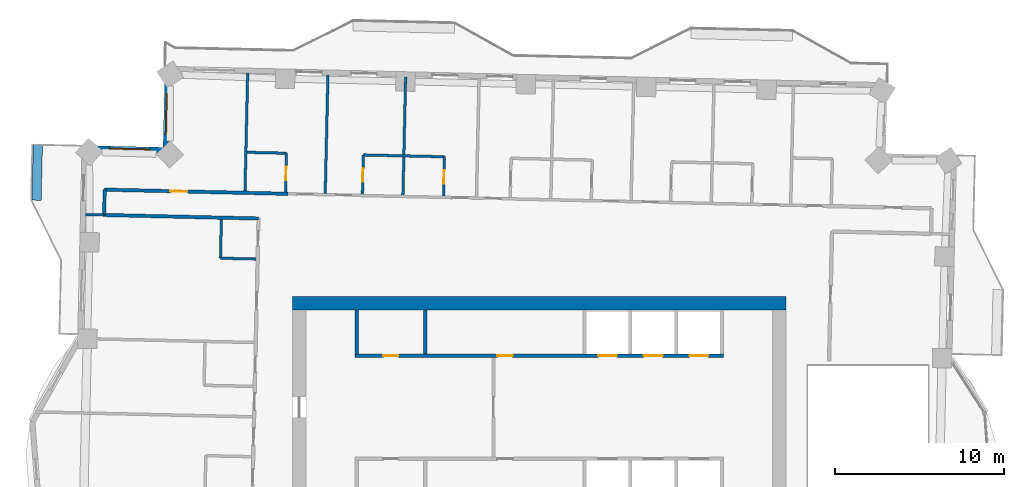
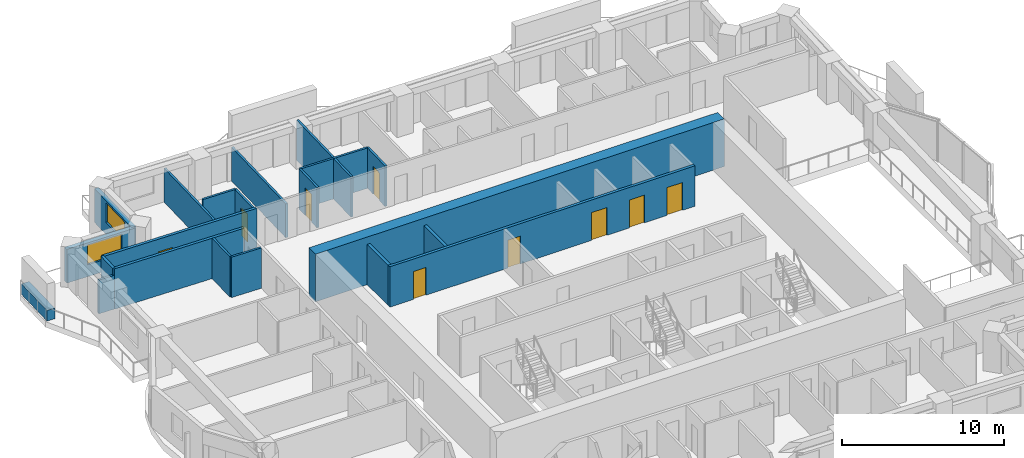
# One storey, part 8 of 14: 21 walls, 9 doors, 2 windows, 11 openings.
"""IFC4 building model written with IfcOpenShell, lengths in metres."""

import ifcopenshell
import ifcopenshell.guid

model = None  # the IFC model being written
_history = None  # IfcOwnerHistory: only IFC2X3 demands one
_inside = {}  # id of a spatial element -> (the spatial element, [elements in it])
_under = {}  # id of a project, library or spatial element -> (it, [spatial elements below it])
_declared = {}  # id of a project -> (the project, [libraries it declares])
_typed = {}  # id of a type object -> (the type object, [elements of that type])
_made_of = {}  # id of a material, layer set ... -> (it, [elements and type objects made of it])


def new_model(schema):
    """Start an empty IFC model of exactly this schema.

    Asked for "IFC4X3", IfcOpenShell would pick the latest addendum, in which some entities
    have other attributes; the version numbers below select the first issue.
    IFC2X3 requires an IfcOwnerHistory on every rooted entity: one is made here for all.
    """
    global model, _history
    if schema == "IFC4X3":
        model = ifcopenshell.file(schema_version=(4, 3, 0, 0))
    else:
        model = ifcopenshell.file(schema=schema)
    _inside.clear()
    _under.clear()
    _declared.clear()
    _typed.clear()
    _made_of.clear()
    _history = None
    if model.schema == "IFC2X3":
        org = make("IfcOrganization", Name="unknown")
        user = make(
            "IfcPersonAndOrganization",
            ThePerson=make("IfcPerson", FamilyName="unknown"),
            TheOrganization=org,
        )
        app = make(
            "IfcApplication",
            ApplicationDeveloper=org,
            Version="unknown",
            ApplicationFullName="unknown",
            ApplicationIdentifier="unknown",
        )
        _history = make(
            "IfcOwnerHistory",
            OwningUser=user,
            OwningApplication=app,
            ChangeAction="ADDED",
            CreationDate=0,
        )
    return model


def make(cls, **values):
    """One entity of the class cls with the attributes given. An attribute that is None is left unset."""
    return model.create_entity(
        cls, **{name: value for name, value in values.items() if value is not None}
    )


def rooted(cls, **values):
    """An entity with a GlobalId (a new one), such as an element, a storey or a relation."""
    return make(cls, GlobalId=ifcopenshell.guid.new(), OwnerHistory=_history, **values)


def si_unit(unit_type, name, prefix=None):
    """IfcSIUnit, for example si_unit("LENGTHUNIT", "METRE", prefix="MILLI")."""
    return make("IfcSIUnit", UnitType=unit_type, Prefix=prefix, Name=name)


def assignment(units):
    """IfcUnitAssignment: the units of a project."""
    return None if units is None else make("IfcUnitAssignment", Units=units)


def point(xyz):
    """IfcCartesianPoint."""
    return None if xyz is None else make("IfcCartesianPoint", Coordinates=xyz)


def direction(xyz):
    """IfcDirection."""
    return None if xyz is None else make("IfcDirection", DirectionRatios=xyz)


def frame(location, z_axis=None, x_axis=None):
    """IfcAxis2Placement3D, a coordinate frame: its origin and axes. An axis left out is left unset."""
    return make(
        "IfcAxis2Placement3D",
        Location=point(location),
        Axis=direction(z_axis),
        RefDirection=direction(x_axis),
    )


def frame_2d(location, x_axis=None):
    """IfcAxis2Placement2D, a coordinate frame in the plane: its origin and x axis."""
    return make(
        "IfcAxis2Placement2D", Location=point(location), RefDirection=direction(x_axis)
    )


def origin():
    """The frame at (0, 0, 0) with its axes left unset."""
    return frame((0.0, 0.0, 0.0))


def place(relative_to, where):
    """IfcLocalPlacement: puts the frame where relative to a parent placement (None: the world)."""
    return make(
        "IfcLocalPlacement", PlacementRelTo=relative_to, RelativePlacement=where
    )


def context(
    kind, dimensions, precision=None, world=None, true_north=None, identifier=None
):
    """IfcGeometricRepresentationContext, for example the 3D "Model" context."""
    return make(
        "IfcGeometricRepresentationContext",
        ContextIdentifier=identifier,
        ContextType=kind,
        CoordinateSpaceDimension=dimensions,
        Precision=precision,
        WorldCoordinateSystem=world,
        TrueNorth=true_north,
    )


def subcontext(parent, identifier, kind, view, scale=None):
    """IfcGeometricRepresentationSubContext, for example "Body" below "Model"."""
    return make(
        "IfcGeometricRepresentationSubContext",
        ContextIdentifier=identifier,
        ContextType=kind,
        ParentContext=parent,
        TargetScale=scale,
        TargetView=view,
    )


def project(units=None, contexts=None):
    """IfcProject with its units and contexts."""
    return rooted(
        "IfcProject",
        Name="project",
        RepresentationContexts=contexts,
        UnitsInContext=assignment(units),
    )


def spatial(cls, under=None, at=None, **own):
    """A site, building, storey or space (cls), placed at a placement, below another one or the project."""
    s = rooted(cls, ObjectPlacement=at, **own)
    if under is not None:
        _under.setdefault(under.id(), (under, []))[1].append(s)
    return s


def profile(cls, at=None, kind="AREA", **sizes):
    """A parametric profile (cls). Its sizes go by their IFC names, for example OverallWidth=200.0."""
    return make(cls, ProfileType=kind, Position=at, **sizes)


def rectangle(**sizes):
    """IfcRectangleProfileDef."""
    return profile("IfcRectangleProfileDef", **sizes)


def extrude(swept, where, along, depth):
    """IfcExtrudedAreaSolid: the profile swept, set in the frame where, extruded along a direction by depth."""
    return make(
        "IfcExtrudedAreaSolid",
        SweptArea=swept,
        Position=where,
        ExtrudedDirection=direction(along),
        Depth=depth,
    )


def shape(context_of_items, identifier, shape_type, items):
    """IfcShapeRepresentation: the items that make up one representation, for example the "Body"."""
    return make(
        "IfcShapeRepresentation",
        ContextOfItems=context_of_items,
        RepresentationIdentifier=identifier,
        RepresentationType=shape_type,
        Items=items,
    )


def material(Name=None, Category=None):
    """IfcMaterial."""
    return make("IfcMaterial", Name=Name, Category=Category)


def layer(
    of_material, thickness, ventilated=None, Name=None, Category=None, Priority=None
):
    """IfcMaterialLayer: one layer of a wall or slab, of a material (None: an air gap)."""
    return make(
        "IfcMaterialLayer",
        Material=of_material,
        LayerThickness=thickness,
        IsVentilated=ventilated,
        Name=Name,
        Category=Category,
        Priority=Priority,
    )


def layer_set(layers, Name=None):
    """IfcMaterialLayerSet."""
    return make("IfcMaterialLayerSet", MaterialLayers=layers, LayerSetName=Name)


def made_of(thing, what):
    """Note that an element or type object is made of a material, layer set ...; save() writes the relation."""
    if what is not None:
        _made_of.setdefault(what.id(), (what, []))[1].append(thing)
    return thing


def type_object(cls, material=None, **own):
    """A type object (cls), such as IfcWallType, which elements share."""
    return made_of(rooted(cls, **own), material)


def element(
    cls,
    number,
    at=None,
    inside=None,
    cuts=None,
    type_object=None,
    material=None,
    context=None,
    identifier="Body",
    shape_type=None,
    held_by="IfcProductDefinitionShape",
    body=None,
    shapes=None,
    **own,
):
    """One element of the class cls, such as IfcWall. Its Tag is "e" and its number.

    at: its placement. inside: the storey or other place that contains it. cuts: it is an
    opening in that element (IfcRelVoidsElement). A single representation is given by context,
    identifier, shape_type and body (its items); several are given by shapes. held_by: the class
    of the entity that holds the representations. save() writes the other relations.
    """
    e = rooted(cls, Tag="e%d" % number, ObjectPlacement=at, **own)
    if body is not None:
        shapes = [shape(context, identifier, shape_type, body)]
    if shapes is not None:
        e.Representation = make(held_by, Representations=shapes)
    if inside is not None:
        _inside.setdefault(inside.id(), (inside, []))[1].append(e)
    if cuts is not None:
        rooted(
            "IfcRelVoidsElement", RelatingBuildingElement=cuts, RelatedOpeningElement=e
        )
    if type_object is not None:
        _typed.setdefault(type_object.id(), (type_object, []))[1].append(e)
    return made_of(e, material)


def fill(opening, filler):
    """IfcRelFillsElement: the door or window that sits in an opening."""
    return rooted(
        "IfcRelFillsElement",
        RelatingOpeningElement=opening,
        RelatedBuildingElement=filler,
    )


def aggregate(whole, parts):
    """IfcRelAggregates: a whole, such as a stair, and the parts it consists of."""
    return rooted("IfcRelAggregates", RelatingObject=whole, RelatedObjects=parts)


def save(model, path):
    """Write the relations noted so far, then the file.

    IfcRelAggregates (storeys below a building ...), IfcRelContainedInSpatialStructure (elements
    in a storey), IfcRelDefinesByType, IfcRelAssociatesMaterial and IfcRelDeclares: one each for
    every whole, place, type object, material and project.
    """
    for whole, parts in _under.values():
        aggregate(whole, parts)
    for where, things in _inside.values():
        rooted(
            "IfcRelContainedInSpatialStructure",
            RelatedElements=things,
            RelatingStructure=where,
        )
    for kind, things in _typed.values():
        rooted("IfcRelDefinesByType", RelatedObjects=things, RelatingType=kind)
    for what, things in _made_of.values():
        rooted("IfcRelAssociatesMaterial", RelatedObjects=things, RelatingMaterial=what)
    for by, libraries in _declared.values():
        rooted("IfcRelDeclares", RelatingContext=by, RelatedDefinitions=libraries)
    model.write(path)


model = new_model("IFC4")

# Units and contexts
model_context = context("Model", 3, precision=1e-05, world=origin(), true_north=direction((0.0, 1.0)))
body_context = subcontext(model_context, "Body", "Model", "MODEL_VIEW")
ifc_project = project(units=[si_unit("LENGTHUNIT", "METRE"), si_unit("AREAUNIT", "SQUARE_METRE"), si_unit("VOLUMEUNIT", "CUBIC_METRE"), si_unit("PLANEANGLEUNIT", "RADIAN"), si_unit("MASSUNIT", "GRAM", prefix="KILO")], contexts=[model_context])

# Site, building, storey
site_placement = place(None, origin())
site = spatial("IfcSite", under=ifc_project, at=site_placement, CompositionType="ELEMENT")
building_placement = place(site_placement, origin())
building = spatial("IfcBuilding", under=site, at=building_placement, Name="Mangrove Gate Tower", CompositionType="ELEMENT")
storey_placement = place(building_placement, frame((0.0, 0.0, 205.10009765625)))
storey = spatial("IfcBuildingStorey", under=building, at=storey_placement, Name="L52", CompositionType="ELEMENT", Elevation=205.10009765625)

# Walls
ifc_material_1 = material(Name="Concrete C32/40", Category="concrete")
ifc_layer_1 = layer(ifc_material_1, 0.199951171875)
ifc_layer_set_1 = layer_set([ifc_layer_1], Name="Core room wall 200 C32/40")
wall_type_1 = type_object("IfcWallType", Name="Core room wall 200 C32/40", PredefinedType="STANDARD", material=ifc_layer_set_1)
for number, where, z_axis, x_axis, name in (
    (1, (-10.800048828125, 8.199951171875, 0.0), (0.0, 0.0, 1.0), (0.0, 1.0, 0.0), "WALL-L52-CORE-25"),
    (2, (-6.75, 8.199951171875, 0.0), (0.0, 0.0, 1.0), (0.0, 1.0, 0.0), "WALL-L52-CORE-26"),
):
    element("IfcWall", number, at=place(storey_placement, frame(where, z_axis=z_axis, x_axis=x_axis)), inside=storey, type_object=wall_type_1, Name=name, PredefinedType="STANDARD", context=body_context, shape_type="SweptSolid", body=[
        extrude(rectangle(XDim=2.60009765625, YDim=0.199951171875, at=frame_2d((1.300048828125, 0.0))), origin(), (0.0, 0.0, 1.0), 3.0498046875),
    ])

# Wall, openings, doors
ifc_material_2 = material(Name="Concrete C60/75", Category="concrete")
ifc_layer_2 = layer(ifc_material_2, 0.199951171875)
ifc_layer_set_2 = layer_set([ifc_layer_2], Name="Core shaft wall 200 C60/75")
wall_type_2 = type_object("IfcWallType", Name="Core shaft wall 200 C60/75", PredefinedType="SHEAR", material=ifc_layer_set_2)
wall_1_placement = place(storey_placement, frame((-10.89990234375, 8.10009765625, 0.0), z_axis=(0.0, 0.0, 1.0), x_axis=(1.0, 0.0, 0.0)))
wall_1 = element("IfcWall", 3, at=wall_1_placement, inside=storey, type_object=wall_type_2, Name="WALL-L52-CORE-8", PredefinedType="SHEAR", context=body_context, shape_type="SweptSolid", body=[
    extrude(rectangle(XDim=21.7998046875, YDim=0.199951171875, at=frame_2d((10.89990234375, 0.0))), origin(), (0.0, 0.0, 1.0), 3.0498046875),
])
opening_1_placement = place(wall_1_placement, frame((14.39990234375, 0.0, 0.0)))
opening_1 = element("IfcOpeningElement", 4, at=opening_1_placement, cuts=wall_1, Name="Opening LD", PredefinedType="OPENING", context=body_context, shape_type="SweptSolid", body=[
    extrude(rectangle(XDim=1.10009765625, YDim=2.10009765625, at=frame_2d((0.550048828125, 1.050048828125))), frame((0.0, 0.10986328125, 0.0), z_axis=(0.0, -1.0, 0.0), x_axis=(1.0, 0.0, 0.0)), (0.0, 0.0, 1.0), 0.219970703125),
])
opening_2_placement = place(wall_1_placement, frame((17.10009765625, 0.0, 0.0)))
opening_2 = element("IfcOpeningElement", 5, at=opening_2_placement, cuts=wall_1, Name="Opening LD", PredefinedType="OPENING", context=body_context, shape_type="SweptSolid", body=[
    extrude(rectangle(XDim=1.10009765625, YDim=2.10009765625, at=frame_2d((0.550048828125, 1.050048828125))), frame((0.0, 0.10986328125, 0.0), z_axis=(0.0, -1.0, 0.0), x_axis=(1.0, 0.0, 0.0)), (0.0, 0.0, 1.0), 0.219970703125),
])
opening_3_placement = place(wall_1_placement, frame((19.800048828125, 0.0, 0.0)))
opening_3 = element("IfcOpeningElement", 6, at=opening_3_placement, cuts=wall_1, Name="Opening LD", PredefinedType="OPENING", context=body_context, shape_type="SweptSolid", body=[
    extrude(rectangle(XDim=1.10009765625, YDim=2.10009765625, at=frame_2d((0.550048828125, 1.050048828125))), frame((0.0, 0.10986328125, 0.0), z_axis=(0.0, -1.0, 0.0), x_axis=(1.0, 0.0, 0.0)), (0.0, 0.0, 1.0), 0.219970703125),
])
opening_4_placement = place(wall_1_placement, frame((1.675048828125, 0.0, 0.0)))
opening_4 = element("IfcOpeningElement", 7, at=opening_4_placement, cuts=wall_1, Name="Opening KD", PredefinedType="OPENING", context=body_context, shape_type="SweptSolid", body=[
    extrude(rectangle(XDim=0.89990234375, YDim=2.10009765625, at=frame_2d((0.449951171875, 1.050048828125))), frame((0.0, 0.10986328125, 0.0), z_axis=(0.0, -1.0, 0.0), x_axis=(1.0, 0.0, 0.0)), (0.0, 0.0, 1.0), 0.219970703125),
])
opening_5_placement = place(wall_1_placement, frame((8.425048828125, 0.0, 0.0)))
opening_5 = element("IfcOpeningElement", 8, at=opening_5_placement, cuts=wall_1, Name="Opening RD", PredefinedType="OPENING", context=body_context, shape_type="SweptSolid", body=[
    extrude(rectangle(XDim=0.89990234375, YDim=2.10009765625, at=frame_2d((0.449951171875, 1.050048828125))), frame((0.0, 0.10986328125, 0.0), z_axis=(0.0, -1.0, 0.0), x_axis=(1.0, 0.0, 0.0)), (0.0, 0.0, 1.0), 0.219970703125),
])
ifc_material_3 = material(Name="Fire-rated steel door set", Category="steel")
door_type_1 = type_object("IfcDoorType", Name="Core room door FD30S 900x2100", OperationType="SINGLE_SWING_RIGHT", PredefinedType="DOOR", material=ifc_material_3)
door_1_placement = place(opening_4_placement, origin())
door_1 = element("IfcDoor", 9, at=door_1_placement, inside=storey, type_object=door_type_1, Name="Core room door Linen store", OperationType="SINGLE_SWING_RIGHT", OverallHeight=2.10009765625, OverallWidth=0.89990234375, PredefinedType="DOOR", context=body_context, shape_type="SweptSolid", body=[
    extrude(rectangle(XDim=0.89990234375, YDim=2.10009765625, at=frame_2d((0.449951171875, 1.050048828125))), frame((0.0, 0.02490234375, 0.0), z_axis=(0.0, -1.0, 0.0), x_axis=(1.0, 0.0, 0.0)), (0.0, 0.0, 1.0), 0.050048828125),
])
fill(opening_4, door_1)
ifc_material_4 = material(Name="Stainless steel 316", Category="steel")
door_type_2 = type_object("IfcDoorType", Name="Lift landing door 1100x2100", OperationType="SLIDING_TO_LEFT", PredefinedType="DOOR", material=ifc_material_4)
door_2_placement = place(opening_1_placement, origin())
door_2 = element("IfcDoor", 10, at=door_2_placement, inside=storey, type_object=door_type_2, Name="Landing door LD M04", OperationType="SLIDING_TO_LEFT", OverallHeight=2.10009765625, OverallWidth=1.10009765625, PredefinedType="DOOR", context=body_context, shape_type="SweptSolid", body=[
    extrude(rectangle(XDim=1.10009765625, YDim=2.10009765625, at=frame_2d((0.550048828125, 1.050048828125))), frame((0.0, 0.02490234375, 0.0), z_axis=(0.0, -1.0, 0.0), x_axis=(1.0, 0.0, 0.0)), (0.0, 0.0, 1.0), 0.050048828125),
])
fill(opening_1, door_2)
door_3_placement = place(opening_2_placement, origin())
door_3 = element("IfcDoor", 11, at=door_3_placement, inside=storey, type_object=door_type_2, Name="Landing door LD M05", OperationType="SLIDING_TO_LEFT", OverallHeight=2.10009765625, OverallWidth=1.10009765625, PredefinedType="DOOR", context=body_context, shape_type="SweptSolid", body=[
    extrude(rectangle(XDim=1.10009765625, YDim=2.10009765625, at=frame_2d((0.550048828125, 1.050048828125))), frame((0.0, 0.02490234375, 0.0), z_axis=(0.0, -1.0, 0.0), x_axis=(1.0, 0.0, 0.0)), (0.0, 0.0, 1.0), 0.050048828125),
])
fill(opening_2, door_3)
door_4_placement = place(opening_3_placement, origin())
door_4 = element("IfcDoor", 12, at=door_4_placement, inside=storey, type_object=door_type_2, Name="Landing door LD M06", OperationType="SLIDING_TO_LEFT", OverallHeight=2.10009765625, OverallWidth=1.10009765625, PredefinedType="DOOR", context=body_context, shape_type="SweptSolid", body=[
    extrude(rectangle(XDim=1.10009765625, YDim=2.10009765625, at=frame_2d((0.550048828125, 1.050048828125))), frame((0.0, 0.02490234375, 0.0), z_axis=(0.0, -1.0, 0.0), x_axis=(1.0, 0.0, 0.0)), (0.0, 0.0, 1.0), 0.050048828125),
])
fill(opening_3, door_4)
ifc_material_5 = material(Name="Fire-rated steel door set", Category="steel")
door_type_3 = type_object("IfcDoorType", Name="Riser door FD30S 900x2100", OperationType="SINGLE_SWING_LEFT", PredefinedType="DOOR", material=ifc_material_5)
door_5_placement = place(opening_5_placement, origin())
door_5 = element("IfcDoor", 13, at=door_5_placement, inside=storey, type_object=door_type_3, Name="Riser door Switch room", OperationType="SINGLE_SWING_LEFT", OverallHeight=2.10009765625, OverallWidth=0.89990234375, PredefinedType="DOOR", context=body_context, shape_type="SweptSolid", body=[
    extrude(rectangle(XDim=0.89990234375, YDim=2.10009765625, at=frame_2d((0.449951171875, 1.050048828125))), frame((0.0, 0.02490234375, 0.0), z_axis=(0.0, -1.0, 0.0), x_axis=(1.0, 0.0, 0.0)), (0.0, 0.0, 1.0), 0.050048828125),
])
fill(opening_5, door_5)

# Walls
ifc_material_6 = material(Name="Concrete C60/75", Category="concrete")
ifc_layer_3 = layer(ifc_material_6, 0.800048828125)
ifc_layer_set_3 = layer_set([ifc_layer_3], Name="Core wall 800 C60/75")
wall_type_3 = type_object("IfcWallType", Name="Core wall 800 C60/75", PredefinedType="SHEAR", material=ifc_layer_set_3)
wall_2_placement = place(storey_placement, frame((-14.60009765625, 11.199951171875, 0.0), z_axis=(0.0, 0.0, 1.0), x_axis=(1.0, 0.0, 0.0)))
element("IfcWall", 14, at=wall_2_placement, inside=storey, type_object=wall_type_3, Name="WALL-L52-CORE-2", PredefinedType="SHEAR", context=body_context, shape_type="SweptSolid", body=[
    extrude(rectangle(XDim=29.2001953125, YDim=0.800048828125, at=frame_2d((14.60009765625, 0.0))), origin(), (0.0, 0.0, 1.0), 3.599853515625),
])
ifc_material_7 = material(Name="Gypsum board on steel stud, EI 60", Category="steel")
ifc_layer_4 = layer(ifc_material_7, 0.199951171875)
ifc_layer_set_4 = layer_set([ifc_layer_4], Name="Corridor wall EI 60")
wall_type_4 = type_object("IfcWallType", Name="Corridor wall EI 60", PredefinedType="PARTITIONING", material=ifc_layer_set_4)
wall_3_placement = place(storey_placement, frame((-25.742919921875, 16.422119140625, 0.0), z_axis=(0.0, 0.0, 1.0), x_axis=(0.999741076645, -0.022754772455, 0.0)))
element("IfcWall", 15, at=wall_3_placement, inside=storey, type_object=wall_type_4, Name="WALL-L52-049", PredefinedType="PARTITIONING", context=body_context, shape_type="SweptSolid", body=[
    extrude(rectangle(XDim=9.141357421875, YDim=0.199951171875, at=frame_2d((4.57080078125, 0.0))), origin(), (0.0, 0.0, 1.0), 3.0498046875),
])
wall_4_placement = place(storey_placement, frame((-25.740966796875, 16.425048828125, 0.0), z_axis=(0.0, 0.0, 1.0), x_axis=(0.022617910375, 0.999744182344, 0.0)))
element("IfcWall", 16, at=wall_4_placement, inside=storey, type_object=wall_type_4, Name="WALL-L52-052", PredefinedType="PARTITIONING", context=body_context, shape_type="SweptSolid", body=[
    extrude(rectangle(XDim=1.50048828125, YDim=0.199951171875, at=frame_2d((0.750244140625, 0.0))), origin(), (0.0, 0.0, 1.0), 3.0498046875),
])

# Wall, opening, door
wall_5_placement = place(storey_placement, frame((-25.708984375, 17.9208984375, 0.0), z_axis=(0.0, 0.0, 1.0), x_axis=(0.999742764922, -0.022680475901, 0.0)))
wall_5 = element("IfcWall", 17, at=wall_5_placement, inside=storey, type_object=wall_type_4, Name="WALL-L52-054", PredefinedType="PARTITIONING", context=body_context, shape_type="SweptSolid", body=[
    extrude(rectangle(XDim=10.839599609375, YDim=0.199951171875, at=frame_2d((5.419921875, 0.0))), origin(), (0.0, 0.0, 1.0), 3.0498046875),
])
opening_6_placement = place(wall_5_placement, frame((3.89306640625, 0.0, 0.0)))
opening_6 = element("IfcOpeningElement", 18, at=opening_6_placement, cuts=wall_5, Name="Opening AD", PredefinedType="OPENING", context=body_context, shape_type="SweptSolid", body=[
    extrude(rectangle(XDim=1.0, YDim=2.10009765625, at=frame_2d((0.5, 1.050048828125))), frame((0.0, 0.10986328125, 0.0), z_axis=(0.0, -1.0, 0.0), x_axis=(1.0, 0.0, 0.0)), (0.0, 0.0, 1.0), 0.219970703125),
])
ifc_material_8 = material(Name="Timber door leaf", Category="wood")
door_type_4 = type_object("IfcDoorType", Name="Amenity door 1000", OperationType="SINGLE_SWING_LEFT", PredefinedType="DOOR", material=ifc_material_8)
door_6_placement = place(opening_6_placement, origin())
door_6 = element("IfcDoor", 19, at=door_6_placement, inside=storey, type_object=door_type_4, Name="DOOR-L52-GAM-c5a", OperationType="SINGLE_SWING_RIGHT", OverallHeight=2.10009765625, OverallWidth=1.0, PredefinedType="DOOR", context=body_context, shape_type="SweptSolid", body=[
    extrude(rectangle(XDim=1.0, YDim=2.10009765625, at=frame_2d((0.5, 1.050048828125))), frame((0.0, 0.02490234375, 0.0), z_axis=(0.0, -1.0, 0.0), x_axis=(1.0, 0.0, 0.0)), (0.0, 0.0, 1.0), 0.050048828125),
])
fill(opening_6, door_6)

# Wall, opening, window
ifc_material_9 = material(Name="Limestone", Category="masonry")
ifc_layer_5 = layer(ifc_material_9, 0.0400390625, Name="Limestone cladding")
ifc_material_10 = material(Name="Ventilated air gap")
ifc_layer_6 = layer(ifc_material_10, 0.0400390625, Name="Ventilated cavity")
ifc_material_11 = material(Name="Mineral wool insulation")
ifc_layer_7 = layer(ifc_material_11, 0.06005859375, Name="Insulation")
ifc_material_12 = material(Name="Breather membrane")
ifc_layer_8 = layer(ifc_material_12, 0.001953125, Name="Breather membrane")
ifc_material_13 = material(Name="Concrete C20/25 blockwork", Category="masonry")
ifc_layer_9 = layer(ifc_material_13, 0.14990234375, Name="Blockwork backing wall")
ifc_material_14 = material(Name="Gypsum plaster")
ifc_layer_10 = layer(ifc_material_14, 0.008056640625, Name="Internal plaster")
ifc_layer_set_5 = layer_set([ifc_layer_5, ifc_layer_6, ifc_layer_7, ifc_layer_8, ifc_layer_9, ifc_layer_10], Name="External wall 300 limestone cladding")
wall_type_5 = type_object("IfcWallType", Name="External wall 300 limestone cladding", PredefinedType="SOLIDWALL", material=ifc_layer_set_5)
wall_6_placement = place(storey_placement, frame((-21.99609375, 25.069091796875, 0.0), z_axis=(0.0, 0.0, 1.0), x_axis=(-0.022683280499, -0.999742701292, 0.0)))
wall_6 = element("IfcWall", 20, at=wall_6_placement, inside=storey, type_object=wall_type_5, Name="WALL-L52-W6", PredefinedType="SOLIDWALL", context=body_context, shape_type="SweptSolid", body=[
    extrude(rectangle(XDim=4.80029296875, YDim=0.300048828125, at=frame_2d((2.400146484375, 0.0))), origin(), (0.0, 0.0, 1.0), 2.5498046875),
])
opening_7_placement = place(wall_6_placement, frame((1.48388671875, 0.0, 0.89990234375)))
opening_7 = element("IfcOpeningElement", 21, at=opening_7_placement, cuts=wall_6, Name="Opening W2", PredefinedType="OPENING", context=body_context, shape_type="SweptSolid", body=[
    extrude(rectangle(XDim=2.39990234375, YDim=1.5, at=frame_2d((1.199951171875, 0.75))), frame((0.0, 0.159912109375, 0.0), z_axis=(0.0, -1.0, 0.0), x_axis=(1.0, 0.0, 0.0)), (0.0, 0.0, 1.0), 0.320068359375),
])
ifc_material_15 = material(Name="Aluminium frame with double-glazed low-e glass", Category="aluminium")
window_type = type_object("IfcWindowType", Name="Corner room window 2400x1500", PartitioningType="DOUBLE_PANEL_VERTICAL", PredefinedType="WINDOW", material=ifc_material_15)
window_1_placement = place(opening_7_placement, origin())
window_1 = element("IfcWindow", 22, at=window_1_placement, inside=storey, type_object=window_type, Name="WIN-L52-W6-1", OverallHeight=1.5, OverallWidth=2.39990234375, PartitioningType="DOUBLE_PANEL_VERTICAL", PredefinedType="WINDOW", context=body_context, shape_type="SweptSolid", body=[
    extrude(rectangle(XDim=2.39990234375, YDim=1.5, at=frame_2d((1.199951171875, 0.75))), frame((0.0, 0.030029296875, 0.0), z_axis=(0.0, -1.0, 0.0), x_axis=(1.0, 0.0, 0.0)), (0.0, 0.0, 1.0), 0.06005859375),
])
fill(opening_7, window_1)

wall_7_placement = place(storey_placement, frame((-22.10498046875, 20.27001953125, 0.0), z_axis=(0.0, 0.0, 1.0), x_axis=(-0.999742701292, 0.022683280499, 0.0)))
wall_7 = element("IfcWall", 23, at=wall_7_placement, inside=storey, type_object=wall_type_5, Name="WALL-L52-N7", PredefinedType="SOLIDWALL", context=body_context, shape_type="SweptSolid", body=[
    extrude(rectangle(XDim=4.80029296875, YDim=0.300048828125, at=frame_2d((2.400146484375, 0.0))), origin(), (0.0, 0.0, 1.0), 2.5498046875),
])
opening_8_placement = place(wall_7_placement, frame((0.927978515625, 0.0, 0.89990234375)))
opening_8 = element("IfcOpeningElement", 24, at=opening_8_placement, cuts=wall_7, Name="Opening W2", PredefinedType="OPENING", context=body_context, shape_type="SweptSolid", body=[
    extrude(rectangle(XDim=2.39990234375, YDim=1.5, at=frame_2d((1.199951171875, 0.75))), frame((0.0, 0.159912109375, 0.0), z_axis=(0.0, -1.0, 0.0), x_axis=(1.0, 0.0, 0.0)), (0.0, 0.0, 1.0), 0.320068359375),
])
window_2_placement = place(opening_8_placement, origin())
window_2 = element("IfcWindow", 25, at=window_2_placement, inside=storey, type_object=window_type, Name="WIN-L52-N7-1", OverallHeight=1.5, OverallWidth=2.39990234375, PartitioningType="DOUBLE_PANEL_VERTICAL", PredefinedType="WINDOW", context=body_context, shape_type="SweptSolid", body=[
    extrude(rectangle(XDim=2.39990234375, YDim=1.5, at=frame_2d((1.199951171875, 0.75))), frame((0.0, 0.030029296875, 0.0), z_axis=(0.0, -1.0, 0.0), x_axis=(1.0, 0.0, 0.0)), (0.0, 0.0, 1.0), 0.06005859375),
])
fill(opening_8, window_2)

# Walls
ifc_material_16 = material(Name="Gypsum board on steel stud, EI 60", Category="steel")
ifc_layer_11 = layer(ifc_material_16, 0.14990234375)
ifc_layer_set_6 = layer_set([ifc_layer_11], Name="Party wall 150 EI 60")
wall_type_6 = type_object("IfcWallType", Name="Party wall 150 EI 60", PredefinedType="PARTITIONING", material=ifc_layer_set_6)
wall_8_placement = place(storey_placement, frame((-18.85791015625, 13.864990234375, 0.0), z_axis=(0.0, 0.0, 1.0), x_axis=(0.999737555419, -0.022908956429, 0.0)))
element("IfcWall", 26, at=wall_8_placement, inside=storey, type_object=wall_type_6, Name="WALL-L52-046", PredefinedType="PARTITIONING", context=body_context, shape_type="SweptSolid", body=[
    extrude(rectangle(XDim=2.099365234375, YDim=0.14990234375, at=frame_2d((1.0498046875, 0.0))), origin(), (0.0, 0.0, 1.0), 3.0498046875),
])
wall_9_placement = place(storey_placement, frame((-18.85693359375, 13.868896484375, 0.0), z_axis=(0.0, 0.0, 1.0), x_axis=(0.022612884682, 0.999744296031, 0.0)))
element("IfcWall", 27, at=wall_9_placement, inside=storey, type_object=wall_type_6, Name="WALL-L52-047", PredefinedType="PARTITIONING", context=body_context, shape_type="SweptSolid", body=[
    extrude(rectangle(XDim=2.299560546875, YDim=0.14990234375, at=frame_2d((1.14990234375, 0.0))), origin(), (0.0, 0.0, 1.0), 3.0498046875),
])
wall_10_placement = place(storey_placement, frame((-26.843017578125, 16.447021484375, 0.0), z_axis=(0.0, 0.0, 1.0), x_axis=(0.999720170098, -0.023655475055, 0.0)))
element("IfcWall", 28, at=wall_10_placement, inside=storey, type_object=wall_type_6, Name="WALL-L52-048", PredefinedType="PARTITIONING", context=body_context, shape_type="SweptSolid", body=[
    extrude(rectangle(XDim=1.104248046875, YDim=0.14990234375, at=frame_2d((0.55224609375, 0.0))), origin(), (0.0, 0.0, 1.0), 2.5498046875),
])
wall_11_placement = place(storey_placement, frame((-17.406982421875, 17.8369140625, 0.0), z_axis=(0.0, 0.0, 1.0), x_axis=(0.022643496158, 0.999743603171, 0.0)))
element("IfcWall", 29, at=wall_11_placement, inside=storey, type_object=wall_type_6, Name="WALL-L52-057", PredefinedType="PARTITIONING", context=body_context, shape_type="SweptSolid", body=[
    extrude(rectangle(XDim=6.975830078125, YDim=0.14990234375, at=frame_2d((3.48779296875, 0.0))), origin(), (0.0, 0.0, 1.0), 2.5498046875),
])

# Wall, opening, door
wall_12_placement = place(storey_placement, frame((-15.007080078125, 17.781982421875, 0.0), z_axis=(0.0, 0.0, 1.0), x_axis=(0.022603288534, 0.999744513037, 0.0)))
wall_12 = element("IfcWall", 30, at=wall_12_placement, inside=storey, type_object=wall_type_6, Name="WALL-L52-058", PredefinedType="PARTITIONING", context=body_context, shape_type="SweptSolid", body=[
    extrude(rectangle(XDim=2.300537109375, YDim=0.14990234375, at=frame_2d((1.150390625, 0.0))), origin(), (0.0, 0.0, 1.0), 3.0498046875),
])
opening_9_placement = place(wall_12_placement, frame((0.699951171875, 0.0, 0.0)))
opening_9 = element("IfcOpeningElement", 31, at=opening_9_placement, cuts=wall_12, Name="Opening ED", PredefinedType="OPENING", context=body_context, shape_type="SweptSolid", body=[
    extrude(rectangle(XDim=0.800048828125, YDim=2.10009765625, at=frame_2d((0.39990234375, 1.050048828125))), frame((0.0, 0.0849609375, 0.0), z_axis=(0.0, -1.0, 0.0), x_axis=(1.0, 0.0, 0.0)), (0.0, 0.0, 1.0), 0.169921875),
])
ifc_material_17 = material(Name="Timber door leaf", Category="wood")
door_type_5 = type_object("IfcDoorType", Name="En-suite door 800", OperationType="SINGLE_SWING_LEFT", PredefinedType="DOOR", material=ifc_material_17)
door_7_placement = place(opening_9_placement, origin())
door_7 = element("IfcDoor", 32, at=door_7_placement, inside=storey, type_object=door_type_5, Name="DOOR-L52-ENS-c514", OperationType="SINGLE_SWING_RIGHT", OverallHeight=2.10009765625, OverallWidth=0.800048828125, PredefinedType="DOOR", context=body_context, shape_type="SweptSolid", body=[
    extrude(rectangle(XDim=0.800048828125, YDim=2.10009765625, at=frame_2d((0.39990234375, 1.050048828125))), frame((0.0, 0.02490234375, 0.0), z_axis=(0.0, -1.0, 0.0), x_axis=(1.0, 0.0, 0.0)), (0.0, 0.0, 1.0), 0.050048828125),
])
fill(opening_9, door_7)

# Wall
wall_13_placement = place(storey_placement, frame((-12.658935546875, 17.7041015625, 0.0), z_axis=(0.0, 0.0, 1.0), x_axis=(0.022703185001, 0.999742249478, 0.0)))
element("IfcWall", 33, at=wall_13_placement, inside=storey, type_object=wall_type_6, Name="WALL-L52-059", PredefinedType="PARTITIONING", context=body_context, shape_type="SweptSolid", body=[
    extrude(rectangle(XDim=7.00048828125, YDim=0.14990234375, at=frame_2d((3.500244140625, 0.0))), origin(), (0.0, 0.0, 1.0), 2.5498046875),
])

# Wall, opening, door
wall_14_placement = place(storey_placement, frame((-10.458984375, 17.654052734375, 0.0), z_axis=(0.0, 0.0, 1.0), x_axis=(0.022781023197, 0.999740478815, 0.0)))
wall_14 = element("IfcWall", 34, at=wall_14_placement, inside=storey, type_object=wall_type_6, Name="WALL-L52-060", PredefinedType="PARTITIONING", context=body_context, shape_type="SweptSolid", body=[
    extrude(rectangle(XDim=2.325439453125, YDim=0.14990234375, at=frame_2d((1.16259765625, 0.0))), origin(), (0.0, 0.0, 1.0), 3.0498046875),
])
opening_10_placement = place(wall_14_placement, frame((0.72509765625, 0.0, 0.0)))
opening_10 = element("IfcOpeningElement", 35, at=opening_10_placement, cuts=wall_14, Name="Opening ED", PredefinedType="OPENING", context=body_context, shape_type="SweptSolid", body=[
    extrude(rectangle(XDim=0.800048828125, YDim=2.10009765625, at=frame_2d((0.39990234375, 1.050048828125))), frame((0.0, 0.0849609375, 0.0), z_axis=(0.0, -1.0, 0.0), x_axis=(1.0, 0.0, 0.0)), (0.0, 0.0, 1.0), 0.169921875),
])
door_8_placement = place(opening_10_placement, origin())
door_8 = element("IfcDoor", 36, at=door_8_placement, inside=storey, type_object=door_type_5, Name="DOOR-L52-ENS-c513", OperationType="SINGLE_SWING_LEFT", OverallHeight=2.10009765625, OverallWidth=0.800048828125, PredefinedType="DOOR", context=body_context, shape_type="SweptSolid", body=[
    extrude(rectangle(XDim=0.800048828125, YDim=2.10009765625, at=frame_2d((0.39990234375, 1.050048828125))), frame((0.0, 0.02490234375, 0.0), z_axis=(0.0, -1.0, 0.0), x_axis=(1.0, 0.0, 0.0)), (0.0, 0.0, 1.0), 0.050048828125),
])
fill(opening_10, door_8)

# Wall
wall_15_placement = place(storey_placement, frame((-8.06005859375, 17.60009765625, 0.0), z_axis=(0.0, 0.0, 1.0), x_axis=(0.022737248567, 0.999741475346, 0.0)))
element("IfcWall", 37, at=wall_15_placement, inside=storey, type_object=wall_type_6, Name="WALL-L52-061", PredefinedType="PARTITIONING", context=body_context, shape_type="SweptSolid", body=[
    extrude(rectangle(XDim=7.000732421875, YDim=0.14990234375, at=frame_2d((3.50048828125, 0.0))), origin(), (0.0, 0.0, 1.0), 3.0498046875),
])

# Wall, opening, door
wall_16_placement = place(storey_placement, frame((-5.659912109375, 17.544921875, 0.0), z_axis=(0.0, 0.0, 1.0), x_axis=(0.022358961731, 0.999750007167, 0.0)))
wall_16 = element("IfcWall", 38, at=wall_16_placement, inside=storey, type_object=wall_type_6, Name="WALL-L52-062", PredefinedType="PARTITIONING", context=body_context, shape_type="SweptSolid", body=[
    extrude(rectangle(XDim=2.32568359375, YDim=0.14990234375, at=frame_2d((1.162841796875, 0.0))), origin(), (0.0, 0.0, 1.0), 3.0498046875),
])
opening_11_placement = place(wall_16_placement, frame((0.72509765625, 0.0, 0.0)))
opening_11 = element("IfcOpeningElement", 39, at=opening_11_placement, cuts=wall_16, Name="Opening ED", PredefinedType="OPENING", context=body_context, shape_type="SweptSolid", body=[
    extrude(rectangle(XDim=0.800048828125, YDim=2.10009765625, at=frame_2d((0.39990234375, 1.050048828125))), frame((0.0, 0.0849609375, 0.0), z_axis=(0.0, -1.0, 0.0), x_axis=(1.0, 0.0, 0.0)), (0.0, 0.0, 1.0), 0.169921875),
])
door_9_placement = place(opening_11_placement, origin())
door_9 = element("IfcDoor", 40, at=door_9_placement, inside=storey, type_object=door_type_5, Name="DOOR-L52-ENS-c412", OperationType="SINGLE_SWING_RIGHT", OverallHeight=2.10009765625, OverallWidth=0.800048828125, PredefinedType="DOOR", context=body_context, shape_type="SweptSolid", body=[
    extrude(rectangle(XDim=0.800048828125, YDim=2.10009765625, at=frame_2d((0.39990234375, 1.050048828125))), frame((0.0, 0.02490234375, 0.0), z_axis=(0.0, -1.0, 0.0), x_axis=(1.0, 0.0, 0.0)), (0.0, 0.0, 1.0), 0.050048828125),
])
fill(opening_11, door_9)

# Walls
wall_17_placement = place(storey_placement, frame((-17.281982421875, 20.131103515625, 0.0), z_axis=(0.0, 0.0, 1.0), x_axis=(0.999738082346, -0.022885950011, 0.0)))
element("IfcWall", 41, at=wall_17_placement, inside=storey, type_object=wall_type_6, Name="WALL-L52-073", PredefinedType="PARTITIONING", context=body_context, shape_type="SweptSolid", body=[
    extrude(rectangle(XDim=2.325439453125, YDim=0.14990234375, at=frame_2d((1.16259765625, 0.0))), origin(), (0.0, 0.0, 1.0), 3.0498046875),
])
wall_18_placement = place(storey_placement, frame((-10.408935546875, 19.97509765625, 0.0), z_axis=(0.0, 0.0, 1.0), x_axis=(0.999741520352, -0.022735269617, 0.0)))
element("IfcWall", 42, at=wall_18_placement, inside=storey, type_object=wall_type_6, Name="WALL-L52-074", PredefinedType="PARTITIONING", context=body_context, shape_type="SweptSolid", body=[
    extrude(rectangle(XDim=4.800048828125, YDim=0.14990234375, at=frame_2d((2.39990234375, 0.0))), origin(), (0.0, 0.0, 1.0), 3.0498046875),
])
ifc_material_18 = material(Name="Concrete C32/40", Category="concrete")
ifc_layer_12 = layer(ifc_material_18, 0.199951171875, Name="Planter trough wall")
ifc_material_19 = material(Name="Bituminous waterproofing membrane")
ifc_layer_13 = layer(ifc_material_19, 0.0048828125, Name="Waterproofing")
ifc_material_20 = material(Name="Drainage board and gravel")
ifc_layer_14 = layer(ifc_material_20, 0.044921875, Name="Drainage layer")
ifc_material_21 = material(Name="Planting soil")
ifc_layer_15 = layer(ifc_material_21, 0.300048828125, Name="Growing medium")
ifc_layer_set_7 = layer_set([ifc_layer_12, ifc_layer_13, ifc_layer_14, ifc_layer_15], Name="Planter wall 550 C32/40")
wall_type_7 = type_object("IfcWallType", Name="Planter wall 550 C32/40", PredefinedType="USERDEFINED", material=ifc_layer_set_7)
wall_19_placement = place(storey_placement, frame((-29.739013671875, 17.29296875, 0.0), z_axis=(0.0, 0.0, 1.0), x_axis=(0.022713002452, 0.999742026485, 0.0)))
element("IfcWall", 43, at=wall_19_placement, inside=storey, type_object=wall_type_7, Name="PLANTER L52 W0.1", ObjectType="PLANTER", PredefinedType="USERDEFINED", context=body_context, shape_type="SweptSolid", body=[
    extrude(rectangle(XDim=3.2998046875, YDim=0.550048828125, at=frame_2d((1.64990234375, 0.0))), origin(), (0.0, 0.0, 1.0), 0.7998046875),
])

save(model, "model.ifc")
